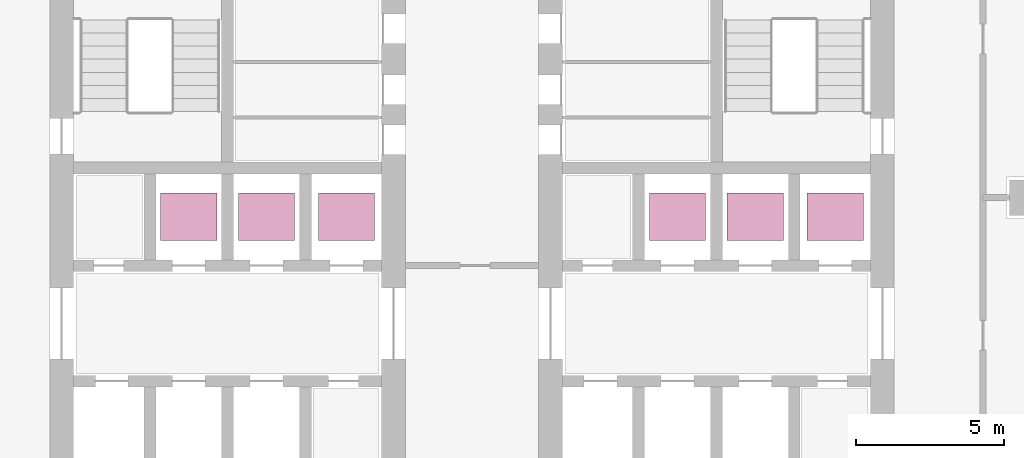
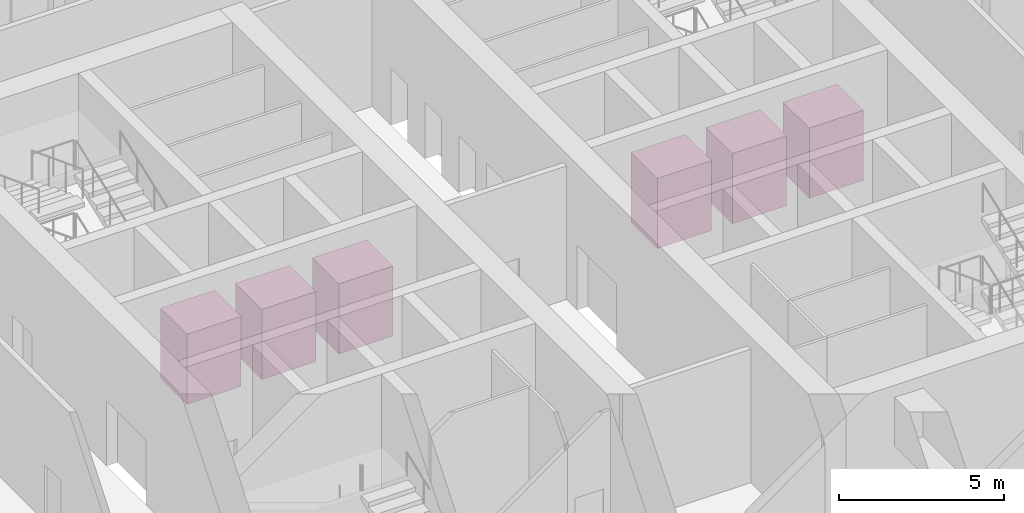
# One storey, part 19 of 20: 6 transport elements.
"""IFC4 building model written with IfcOpenShell, lengths in metres."""

import ifcopenshell
import ifcopenshell.guid

model = None  # the IFC model being written
_history = None  # IfcOwnerHistory: only IFC2X3 demands one
_inside = {}  # id of a spatial element -> (the spatial element, [elements in it])
_under = {}  # id of a project, library or spatial element -> (it, [spatial elements below it])
_declared = {}  # id of a project -> (the project, [libraries it declares])
_typed = {}  # id of a type object -> (the type object, [elements of that type])
_made_of = {}  # id of a material, layer set ... -> (it, [elements and type objects made of it])


def new_model(schema):
    """Start an empty IFC model of exactly this schema.

    Asked for "IFC4X3", IfcOpenShell would pick the latest addendum, in which some entities
    have other attributes; the version numbers below select the first issue.
    IFC2X3 requires an IfcOwnerHistory on every rooted entity: one is made here for all.
    """
    global model, _history
    if schema == "IFC4X3":
        model = ifcopenshell.file(schema_version=(4, 3, 0, 0))
    else:
        model = ifcopenshell.file(schema=schema)
    _inside.clear()
    _under.clear()
    _declared.clear()
    _typed.clear()
    _made_of.clear()
    _history = None
    if model.schema == "IFC2X3":
        org = make("IfcOrganization", Name="unknown")
        user = make(
            "IfcPersonAndOrganization",
            ThePerson=make("IfcPerson", FamilyName="unknown"),
            TheOrganization=org,
        )
        app = make(
            "IfcApplication",
            ApplicationDeveloper=org,
            Version="unknown",
            ApplicationFullName="unknown",
            ApplicationIdentifier="unknown",
        )
        _history = make(
            "IfcOwnerHistory",
            OwningUser=user,
            OwningApplication=app,
            ChangeAction="ADDED",
            CreationDate=0,
        )
    return model


def make(cls, **values):
    """One entity of the class cls with the attributes given. An attribute that is None is left unset."""
    return model.create_entity(
        cls, **{name: value for name, value in values.items() if value is not None}
    )


def rooted(cls, **values):
    """An entity with a GlobalId (a new one), such as an element, a storey or a relation."""
    return make(cls, GlobalId=ifcopenshell.guid.new(), OwnerHistory=_history, **values)


def si_unit(unit_type, name, prefix=None):
    """IfcSIUnit, for example si_unit("LENGTHUNIT", "METRE", prefix="MILLI")."""
    return make("IfcSIUnit", UnitType=unit_type, Prefix=prefix, Name=name)


def assignment(units):
    """IfcUnitAssignment: the units of a project."""
    return None if units is None else make("IfcUnitAssignment", Units=units)


def point(xyz):
    """IfcCartesianPoint."""
    return None if xyz is None else make("IfcCartesianPoint", Coordinates=xyz)


def direction(xyz):
    """IfcDirection."""
    return None if xyz is None else make("IfcDirection", DirectionRatios=xyz)


def frame(location, z_axis=None, x_axis=None):
    """IfcAxis2Placement3D, a coordinate frame: its origin and axes. An axis left out is left unset."""
    return make(
        "IfcAxis2Placement3D",
        Location=point(location),
        Axis=direction(z_axis),
        RefDirection=direction(x_axis),
    )


def frame_2d(location, x_axis=None):
    """IfcAxis2Placement2D, a coordinate frame in the plane: its origin and x axis."""
    return make(
        "IfcAxis2Placement2D", Location=point(location), RefDirection=direction(x_axis)
    )


def origin():
    """The frame at (0, 0, 0) with its axes left unset."""
    return frame((0.0, 0.0, 0.0))


def origin_2d():
    """The frame at (0, 0) in the plane with its x axis left unset."""
    return frame_2d((0.0, 0.0))


def place(relative_to, where):
    """IfcLocalPlacement: puts the frame where relative to a parent placement (None: the world)."""
    return make(
        "IfcLocalPlacement", PlacementRelTo=relative_to, RelativePlacement=where
    )


def context(
    kind, dimensions, precision=None, world=None, true_north=None, identifier=None
):
    """IfcGeometricRepresentationContext, for example the 3D "Model" context."""
    return make(
        "IfcGeometricRepresentationContext",
        ContextIdentifier=identifier,
        ContextType=kind,
        CoordinateSpaceDimension=dimensions,
        Precision=precision,
        WorldCoordinateSystem=world,
        TrueNorth=true_north,
    )


def subcontext(parent, identifier, kind, view, scale=None):
    """IfcGeometricRepresentationSubContext, for example "Body" below "Model"."""
    return make(
        "IfcGeometricRepresentationSubContext",
        ContextIdentifier=identifier,
        ContextType=kind,
        ParentContext=parent,
        TargetScale=scale,
        TargetView=view,
    )


def project(units=None, contexts=None):
    """IfcProject with its units and contexts."""
    return rooted(
        "IfcProject",
        Name="project",
        RepresentationContexts=contexts,
        UnitsInContext=assignment(units),
    )


def spatial(cls, under=None, at=None, **own):
    """A site, building, storey or space (cls), placed at a placement, below another one or the project."""
    s = rooted(cls, ObjectPlacement=at, **own)
    if under is not None:
        _under.setdefault(under.id(), (under, []))[1].append(s)
    return s


def profile(cls, at=None, kind="AREA", **sizes):
    """A parametric profile (cls). Its sizes go by their IFC names, for example OverallWidth=200.0."""
    return make(cls, ProfileType=kind, Position=at, **sizes)


def rectangle(**sizes):
    """IfcRectangleProfileDef."""
    return profile("IfcRectangleProfileDef", **sizes)


def extrude(swept, where, along, depth):
    """IfcExtrudedAreaSolid: the profile swept, set in the frame where, extruded along a direction by depth."""
    return make(
        "IfcExtrudedAreaSolid",
        SweptArea=swept,
        Position=where,
        ExtrudedDirection=direction(along),
        Depth=depth,
    )


def shape(context_of_items, identifier, shape_type, items):
    """IfcShapeRepresentation: the items that make up one representation, for example the "Body"."""
    return make(
        "IfcShapeRepresentation",
        ContextOfItems=context_of_items,
        RepresentationIdentifier=identifier,
        RepresentationType=shape_type,
        Items=items,
    )


def material(Name=None, Category=None):
    """IfcMaterial."""
    return make("IfcMaterial", Name=Name, Category=Category)


def made_of(thing, what):
    """Note that an element or type object is made of a material, layer set ...; save() writes the relation."""
    if what is not None:
        _made_of.setdefault(what.id(), (what, []))[1].append(thing)
    return thing


def type_object(cls, material=None, **own):
    """A type object (cls), such as IfcWallType, which elements share."""
    return made_of(rooted(cls, **own), material)


def element(
    cls,
    number,
    at=None,
    inside=None,
    cuts=None,
    type_object=None,
    material=None,
    context=None,
    identifier="Body",
    shape_type=None,
    held_by="IfcProductDefinitionShape",
    body=None,
    shapes=None,
    **own,
):
    """One element of the class cls, such as IfcWall. Its Tag is "e" and its number.

    at: its placement. inside: the storey or other place that contains it. cuts: it is an
    opening in that element (IfcRelVoidsElement). A single representation is given by context,
    identifier, shape_type and body (its items); several are given by shapes. held_by: the class
    of the entity that holds the representations. save() writes the other relations.
    """
    e = rooted(cls, Tag="e%d" % number, ObjectPlacement=at, **own)
    if body is not None:
        shapes = [shape(context, identifier, shape_type, body)]
    if shapes is not None:
        e.Representation = make(held_by, Representations=shapes)
    if inside is not None:
        _inside.setdefault(inside.id(), (inside, []))[1].append(e)
    if cuts is not None:
        rooted(
            "IfcRelVoidsElement", RelatingBuildingElement=cuts, RelatedOpeningElement=e
        )
    if type_object is not None:
        _typed.setdefault(type_object.id(), (type_object, []))[1].append(e)
    return made_of(e, material)


def aggregate(whole, parts):
    """IfcRelAggregates: a whole, such as a stair, and the parts it consists of."""
    return rooted("IfcRelAggregates", RelatingObject=whole, RelatedObjects=parts)


def save(model, path):
    """Write the relations noted so far, then the file.

    IfcRelAggregates (storeys below a building ...), IfcRelContainedInSpatialStructure (elements
    in a storey), IfcRelDefinesByType, IfcRelAssociatesMaterial and IfcRelDeclares: one each for
    every whole, place, type object, material and project.
    """
    for whole, parts in _under.values():
        aggregate(whole, parts)
    for where, things in _inside.values():
        rooted(
            "IfcRelContainedInSpatialStructure",
            RelatedElements=things,
            RelatingStructure=where,
        )
    for kind, things in _typed.values():
        rooted("IfcRelDefinesByType", RelatedObjects=things, RelatingType=kind)
    for what, things in _made_of.values():
        rooted("IfcRelAssociatesMaterial", RelatedObjects=things, RelatingMaterial=what)
    for by, libraries in _declared.values():
        rooted("IfcRelDeclares", RelatingContext=by, RelatedDefinitions=libraries)
    model.write(path)


model = new_model("IFC4")

# Units and contexts
model_context = context("Model", 3, precision=1e-05, world=origin(), true_north=direction((0.0, 1.0)))
body_context = subcontext(model_context, "Body", "Model", "MODEL_VIEW")
ifc_project = project(units=[si_unit("LENGTHUNIT", "METRE"), si_unit("AREAUNIT", "SQUARE_METRE"), si_unit("VOLUMEUNIT", "CUBIC_METRE"), si_unit("PLANEANGLEUNIT", "RADIAN"), si_unit("MASSUNIT", "GRAM", prefix="KILO")], contexts=[model_context])

# Site, building, storey
site_placement = place(None, origin())
site = spatial("IfcSite", under=ifc_project, at=site_placement, CompositionType="ELEMENT")
building_placement = place(site_placement, origin())
building = spatial("IfcBuilding", under=site, at=building_placement, Name="Corbel Stack Research Tower", CompositionType="ELEMENT")
storey_placement = place(building_placement, frame((0.0, 0.0, 151.39990234375)))
storey = spatial("IfcBuildingStorey", under=building, at=storey_placement, Name="L34", CompositionType="ELEMENT", Elevation=151.39990234375)

# Transport elements
ifc_material = material(Name="Stainless steel", Category="steel")
transport_element_type = type_object("IfcTransportElementType", Name="High-rise passenger lift car 1800 x 1500", PredefinedType="ELEVATOR", material=ifc_material)
for number, where, z_axis, x_axis, name in (
    (1, (-5.8125, 8.35009765625, 0.0), (0.0, 0.0, 1.0), (1.0, 0.0, 0.0), "Lift HR1"),
    (2, (-3.1875, 8.35009765625, 0.0), (0.0, 0.0, 1.0), (1.0, 0.0, 0.0), "Lift HR2"),
    (3, (-0.487548828125, 8.35009765625, 0.0), (0.0, 0.0, 1.0), (1.0, 0.0, 0.0), "Lift HR3"),
    (4, (10.6875, 8.35009765625, 0.0), (0.0, 0.0, 1.0), (1.0, 0.0, 0.0), "Lift HR4"),
    (5, (13.3125, 8.35009765625, 0.0), (0.0, 0.0, 1.0), (1.0, 0.0, 0.0), "Lift HR5"),
    (6, (16.012451171875, 8.35009765625, 0.0), (0.0, 0.0, 1.0), (1.0, 0.0, 0.0), "Lift HR6"),
):
    element("IfcTransportElement", number, at=place(storey_placement, frame(where, z_axis=z_axis, x_axis=x_axis)), inside=storey, type_object=transport_element_type, Name=name, PredefinedType="ELEVATOR", context=body_context, shape_type="SweptSolid", body=[
        extrude(rectangle(XDim=1.89990234375, YDim=1.60009765625, at=origin_2d()), origin(), (0.0, 0.0, 1.0), 2.60009765625),
    ])

save(model, "model.ifc")
